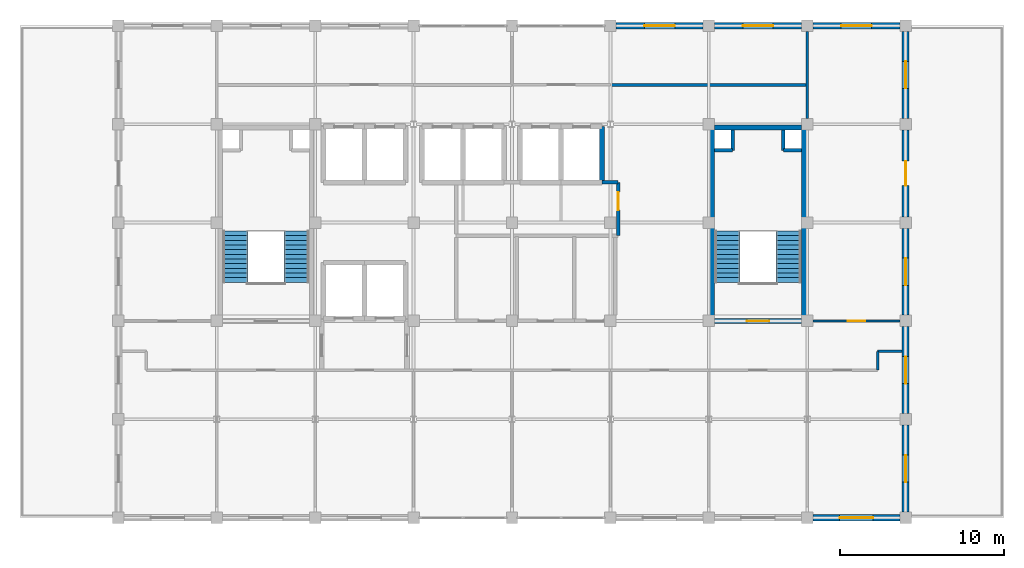
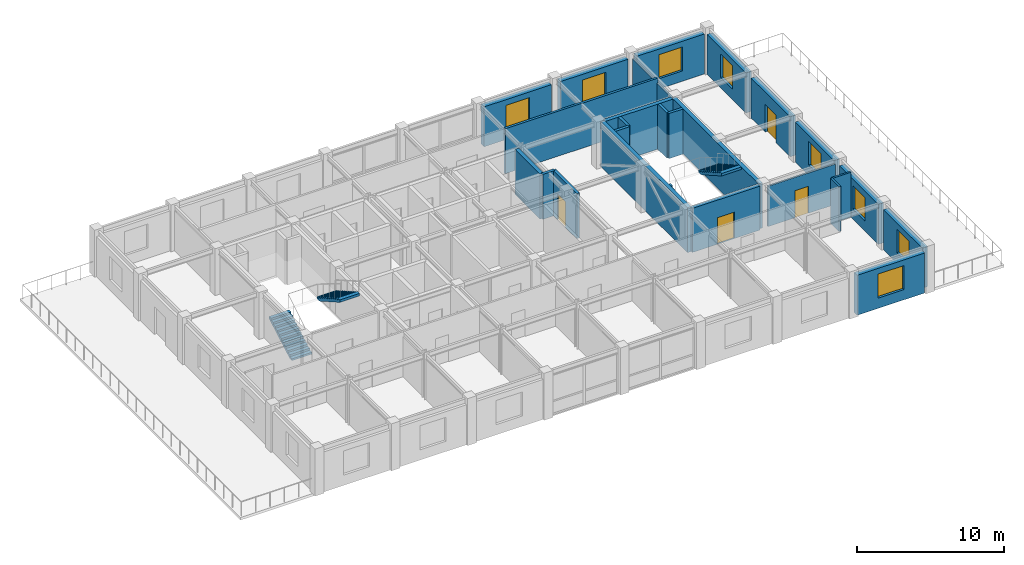
# One storey, part 14 of 15: 25 walls, 8 windows, 4 doors, 4 stair flights, 12 openings, 2 elements without a shape of their own.
"""IFC4 building model written with IfcOpenShell, lengths in metres."""

from ifc_helpers import new_model, si_unit, direction, frame, frame_2d, origin, place, context, subcontext, project, spatial, polyline, rectangle, outline, extrude, material, layer, layer_set, type_object, element, fill, aggregate, save


model = new_model("IFC4")

# Units and contexts
model_context = context("Model", 3, precision=1e-05, world=origin(), true_north=direction((0.0, 1.0)))
body_context = subcontext(model_context, "Body", "Model", "MODEL_VIEW")
ifc_project = project(units=[si_unit("LENGTHUNIT", "METRE"), si_unit("AREAUNIT", "SQUARE_METRE"), si_unit("VOLUMEUNIT", "CUBIC_METRE"), si_unit("PLANEANGLEUNIT", "RADIAN"), si_unit("MASSUNIT", "GRAM", prefix="KILO")], contexts=[model_context])

# Site, building, storey
site_placement = place(None, origin())
site = spatial("IfcSite", under=ifc_project, at=site_placement, CompositionType="ELEMENT")
building_placement = place(site_placement, origin())
building = spatial("IfcBuilding", under=site, at=building_placement, Name="Zlatovratsky Civic Hall", CompositionType="ELEMENT")
storey_placement = place(building_placement, frame((0.0, 0.0, 36.60009765625)))
storey = spatial("IfcBuildingStorey", under=building, at=storey_placement, Name="L09", CompositionType="ELEMENT", Elevation=36.60009765625)

# Wall
ifc_material_1 = material(Name="Acoustic ceramic blockwork", Category="masonry")
ifc_layer_1 = layer(ifc_material_1, 0.179931640625)
ifc_layer_set_1 = layer_set([ifc_layer_1], Name="Acoustic ceramic blockwork")
wall_type_1 = type_object("IfcWallType", Name="Wall_AcousticChamberPartition_180", PredefinedType="PARTITIONING", material=ifc_layer_set_1)
wall_1_placement = place(storey_placement, frame((90.0, 98.39990234375, 0.0), z_axis=(0.0, 0.0, 1.0), x_axis=(1.0, 0.0, 0.0)))
element("IfcWall", 1, at=wall_1_placement, inside=storey, type_object=wall_type_1, Name="WL-6477", PredefinedType="PARTITIONING", context=body_context, shape_type="SweptSolid", body=[
    extrude(rectangle(XDim=12.0, YDim=0.179931640625, at=frame_2d((6.0, 0.0))), origin(), (0.0, 0.0, 1.0), 3.739990234375),
])

# Wall, opening, door
ifc_material_2 = material(Name="Fire-rated gypsum board framing", Category="gypsum")
ifc_layer_2 = layer(ifc_material_2, 0.139892578125)
ifc_layer_set_2 = layer_set([ifc_layer_2], Name="Fire-rated gypsum board framing")
wall_type_2 = type_object("IfcWallType", Name="Wall_OfficePartition_140", PredefinedType="PARTITIONING", material=ifc_layer_set_2)
wall_2_placement = place(storey_placement, frame((102.35009765625, 84.0, 0.0), z_axis=(0.0, 0.0, 1.0), x_axis=(1.0, 0.0, 0.0)))
wall_2 = element("IfcWall", 2, at=wall_2_placement, inside=storey, type_object=wall_type_2, Name="WL-6455", PredefinedType="PARTITIONING", context=body_context, shape_type="SweptSolid", body=[
    extrude(rectangle(XDim=5.2998046875, YDim=0.139892578125, at=frame_2d((2.64990234375, 0.0))), origin(), (0.0, 0.0, 1.0), 3.347900390625),
])
opening_1_placement = place(wall_2_placement, frame((2.125, 0.0, 0.0)))
opening_1 = element("IfcOpeningElement", 3, at=opening_1_placement, cuts=wall_2, Name="Opening D-24", PredefinedType="OPENING", context=body_context, shape_type="SweptSolid", body=[
    extrude(rectangle(XDim=1.050048828125, YDim=2.25, at=frame_2d((0.52490234375, 1.125))), frame((0.0, 0.0849609375, 0.0), z_axis=(0.0, -1.0, 0.0), x_axis=(1.0, 0.0, 0.0)), (0.0, 0.0, 1.0), 0.169677734375),
])
ifc_material_3 = material(Name="Solid oak joinery in steel frame", Category="steel")
door_type_1 = type_object("IfcDoorType", Name="Door_DirectorateOffice_1050x2250", OperationType="NOTDEFINED", PredefinedType="DOOR", material=ifc_material_3)
door_1_placement = place(opening_1_placement, origin())
door_1 = element("IfcDoor", 4, at=door_1_placement, inside=storey, type_object=door_type_1, Name="DR-5429", OperationType="SINGLE_SWING_LEFT", OverallHeight=2.25, OverallWidth=1.050048828125, PredefinedType="DOOR", context=body_context, shape_type="SweptSolid", body=[
    extrude(rectangle(XDim=1.050048828125, YDim=2.25, at=frame_2d((0.52490234375, 1.125))), frame((0.0, 0.02490234375, 0.0), z_axis=(0.0, -1.0, 0.0), x_axis=(1.0, 0.0, 0.0)), (0.0, 0.0, 1.0), 0.050048828125),
])
fill(opening_1, door_1)

# Walls
wall_3_placement = place(storey_placement, frame((106.300048828125, 81.0, 0.0), z_axis=(0.0, 0.0, 1.0), x_axis=(0.0, 1.0, 0.0)))
element("IfcWall", 5, at=wall_3_placement, inside=storey, type_object=wall_type_2, Name="WL-6473", PredefinedType="PARTITIONING", context=body_context, shape_type="SweptSolid", body=[
    extrude(rectangle(XDim=1.14990234375, YDim=0.139892578125, at=frame_2d((0.574951171875, 0.0))), origin(), (0.0, 0.0, 1.0), 3.739990234375),
])
wall_4_placement = place(storey_placement, frame((106.300048828125, 82.14990234375, 0.0), z_axis=(0.0, 0.0, 1.0), x_axis=(1.0, 0.0, 0.0)))
element("IfcWall", 6, at=wall_4_placement, inside=storey, type_object=wall_type_2, Name="WL-6474", PredefinedType="PARTITIONING", context=body_context, shape_type="SweptSolid", body=[
    extrude(rectangle(XDim=1.489990234375, YDim=0.139892578125, at=frame_2d((0.7451171875, 0.0))), origin(), (0.0, 0.0, 1.0), 3.739990234375),
])
wall_5_placement = place(storey_placement, frame((102.0, 96.35009765625, 0.0), z_axis=(0.0, 0.0, 1.0), x_axis=(0.0, 1.0, 0.0)))
element("IfcWall", 7, at=wall_5_placement, inside=storey, type_object=wall_type_2, Name="WL-6479", PredefinedType="PARTITIONING", context=body_context, shape_type="SweptSolid", body=[
    extrude(rectangle(XDim=5.2998046875, YDim=0.139892578125, at=frame_2d((2.64990234375, 0.0))), origin(), (0.0, 0.0, 1.0), 3.347900390625),
])
ifc_layer_3 = layer(ifc_material_1, 0.219970703125)
ifc_layer_set_3 = layer_set([ifc_layer_3], Name="Acoustic ceramic blockwork")
wall_type_3 = type_object("IfcWallType", Name="Wall_SanitaryWetCore_220", PredefinedType="PARTITIONING", material=ifc_layer_set_3)
wall_6_placement = place(storey_placement, frame((97.449951171875, 94.39990234375, 0.0), z_axis=(0.0, 0.0, 1.0), x_axis=(0.0, 1.0, 0.0)))
element("IfcWall", 8, at=wall_6_placement, inside=storey, type_object=wall_type_3, Name="WL-5235", PredefinedType="PARTITIONING", context=body_context, shape_type="SweptSolid", body=[
    extrude(rectangle(XDim=1.25, YDim=0.219970703125, at=frame_2d((0.625, 0.0))), origin(), (0.0, 0.0, 1.0), 3.739990234375),
])
wall_7_placement = place(storey_placement, frame((96.35009765625, 94.39990234375, 0.0), z_axis=(0.0, 0.0, 1.0), x_axis=(1.0, 0.0, 0.0)))
element("IfcWall", 9, at=wall_7_placement, inside=storey, type_object=wall_type_3, Name="WL-5236", PredefinedType="PARTITIONING", context=body_context, shape_type="SweptSolid", body=[
    extrude(rectangle(XDim=1.099853515625, YDim=0.219970703125, at=frame_2d((0.5498046875, 0.0))), origin(), (0.0, 0.0, 1.0), 3.739990234375),
])
wall_8_placement = place(storey_placement, frame((100.550048828125, 94.39990234375, 0.0), z_axis=(0.0, 0.0, 1.0), x_axis=(0.0, 1.0, 0.0)))
element("IfcWall", 10, at=wall_8_placement, inside=storey, type_object=wall_type_3, Name="WL-5237", PredefinedType="PARTITIONING", context=body_context, shape_type="SweptSolid", body=[
    extrude(rectangle(XDim=1.25, YDim=0.219970703125, at=frame_2d((0.625, 0.0))), origin(), (0.0, 0.0, 1.0), 3.739990234375),
])
wall_9_placement = place(storey_placement, frame((100.550048828125, 94.39990234375, 0.0), z_axis=(0.0, 0.0, 1.0), x_axis=(1.0, 0.0, 0.0)))
element("IfcWall", 11, at=wall_9_placement, inside=storey, type_object=wall_type_3, Name="WL-5238", PredefinedType="PARTITIONING", context=body_context, shape_type="SweptSolid", body=[
    extrude(rectangle(XDim=1.099853515625, YDim=0.219970703125, at=frame_2d((0.5498046875, 0.0))), origin(), (0.0, 0.0, 1.0), 3.739990234375),
])

# Wall, opening, door
wall_10_placement = place(storey_placement, frame((90.469970703125, 89.199951171875, 0.0), z_axis=(0.0, 0.0, 1.0), x_axis=(0.0, 1.0, 0.0)))
wall_10 = element("IfcWall", 12, at=wall_10_placement, inside=storey, type_object=wall_type_3, Name="WL-6445", PredefinedType="PARTITIONING", context=body_context, shape_type="SweptSolid", body=[
    extrude(rectangle(XDim=3.25, YDim=0.219970703125, at=frame_2d((1.625, 0.0))), origin(), (0.0, 0.0, 1.0), 3.739990234375),
])
opening_2_placement = place(wall_10_placement, frame((1.550048828125, 0.0, 0.0)))
opening_2 = element("IfcOpeningElement", 13, at=opening_2_placement, cuts=wall_10, Name="Opening D-30", PredefinedType="OPENING", context=body_context, shape_type="SweptSolid", body=[
    extrude(rectangle(XDim=1.10009765625, YDim=2.14990234375, at=frame_2d((0.550048828125, 1.074951171875))), frame((0.0, 0.125, 0.0), z_axis=(0.0, -1.0, 0.0), x_axis=(1.0, 0.0, 0.0)), (0.0, 0.0, 1.0), 0.249755859375),
])
ifc_material_4 = material(Name="Insulated painted fire-rated steel leaf", Category="steel")
door_type_2 = type_object("IfcDoorType", Name="Door_ElectricalRoom_1100x2150", OperationType="NOTDEFINED", PredefinedType="DOOR", material=ifc_material_4)
door_2_placement = place(opening_2_placement, origin())
door_2 = element("IfcDoor", 14, at=door_2_placement, inside=storey, type_object=door_type_2, Name="DR-5419", OperationType="SINGLE_SWING_RIGHT", OverallHeight=2.14990234375, OverallWidth=1.10009765625, PredefinedType="DOOR", context=body_context, shape_type="SweptSolid", body=[
    extrude(rectangle(XDim=1.10009765625, YDim=2.14990234375, at=frame_2d((0.550048828125, 1.074951171875))), frame((0.0, 0.02490234375, 0.0), z_axis=(0.0, -1.0, 0.0), x_axis=(1.0, 0.0, 0.0)), (0.0, 0.0, 1.0), 0.050048828125),
])
fill(opening_2, door_2)

# Wall
wall_11_placement = place(storey_placement, frame((89.5, 92.449951171875, 0.0), z_axis=(0.0, 0.0, 1.0), x_axis=(1.0, 0.0, 0.0)))
element("IfcWall", 15, at=wall_11_placement, inside=storey, type_object=wall_type_3, Name="WL-6470", PredefinedType="PARTITIONING", context=body_context, shape_type="SweptSolid", body=[
    extrude(rectangle(XDim=0.969970703125, YDim=0.219970703125, at=frame_2d((0.48486328125, 0.0))), origin(), (0.0, 0.0, 1.0), 3.739990234375),
])

# Wall, opening, door
ifc_material_5 = material(Name="Concrete C35/45 (B40)", Category="concrete")
ifc_layer_4 = layer(ifc_material_5, 0.300048828125)
ifc_layer_set_4 = layer_set([ifc_layer_4], Name="Concrete C35/45 (B40)")
wall_type_4 = type_object("IfcWallType", Name="Wall_StairAndLiftShaft_300", PredefinedType="SHEAR", material=ifc_layer_set_4)
wall_12_placement = place(storey_placement, frame((96.35009765625, 84.0, 0.0), z_axis=(0.0, 0.0, 1.0), x_axis=(1.0, 0.0, 0.0)))
wall_12 = element("IfcWall", 16, at=wall_12_placement, inside=storey, type_object=wall_type_4, Name="WL-5231", PredefinedType="SHEAR", context=body_context, shape_type="SweptSolid", body=[
    extrude(rectangle(XDim=5.2998046875, YDim=0.300048828125, at=frame_2d((2.64990234375, 0.0))), origin(), (0.0, 0.0, 1.0), 3.659912109375),
])
opening_3_placement = place(wall_12_placement, frame((1.97509765625, 0.0, 0.0)))
opening_3 = element("IfcOpeningElement", 17, at=opening_3_placement, cuts=wall_12, Name="Opening D-17", PredefinedType="OPENING", context=body_context, shape_type="SweptSolid", body=[
    extrude(rectangle(XDim=1.35009765625, YDim=2.199951171875, at=frame_2d((0.675048828125, 1.10009765625))), frame((0.0, 0.1650390625, 0.0), z_axis=(0.0, -1.0, 0.0), x_axis=(1.0, 0.0, 0.0)), (0.0, 0.0, 1.0), 0.329833984375),
])
door_type_3 = type_object("IfcDoorType", Name="Door_StairwellFireTower_1350x2200", OperationType="NOTDEFINED", PredefinedType="DOOR", material=ifc_material_4)
door_3_placement = place(opening_3_placement, origin())
door_3 = element("IfcDoor", 18, at=door_3_placement, inside=storey, type_object=door_type_3, Name="DR-5029", OperationType="SINGLE_SWING_LEFT", OverallHeight=2.199951171875, OverallWidth=1.35009765625, PredefinedType="DOOR", context=body_context, shape_type="SweptSolid", body=[
    extrude(rectangle(XDim=1.35009765625, YDim=2.199951171875, at=frame_2d((0.675048828125, 1.10009765625))), frame((0.0, 0.02490234375, 0.0), z_axis=(0.0, -1.0, 0.0), x_axis=(1.0, 0.0, 0.0)), (0.0, 0.0, 1.0), 0.050048828125),
])
fill(opening_3, door_3)

# Walls
wall_13_placement = place(storey_placement, frame((96.35009765625, 95.800048828125, 0.0), z_axis=(0.0, 0.0, 1.0), x_axis=(1.0, 0.0, 0.0)))
element("IfcWall", 19, at=wall_13_placement, inside=storey, type_object=wall_type_4, Name="WL-5232", PredefinedType="SHEAR", context=body_context, shape_type="SweptSolid", body=[
    extrude(rectangle(XDim=5.2998046875, YDim=0.300048828125, at=frame_2d((2.64990234375, 0.0))), origin(), (0.0, 0.0, 1.0), 3.739990234375),
])
for number, where, z_axis, x_axis, name in (
    (20, (96.199951171875, 84.0, 0.0), (0.0, 0.0, 1.0), (0.0, 1.0, 0.0), "WL-5233"),
    (21, (101.800048828125, 84.0, 0.0), (0.0, 0.0, 1.0), (0.0, 1.0, 0.0), "WL-5234"),
):
    element("IfcWall", number, at=place(storey_placement, frame(where, z_axis=z_axis, x_axis=x_axis)), inside=storey, type_object=wall_type_4, Name=name, PredefinedType="SHEAR", context=body_context, shape_type="SweptSolid", body=[
        extrude(rectangle(XDim=11.800048828125, YDim=0.300048828125, at=frame_2d((5.89990234375, 0.0))), origin(), (0.0, 0.0, 1.0), 3.739990234375),
    ])
wall_14_placement = place(storey_placement, frame((89.5, 92.449951171875, 0.0), z_axis=(0.0, 0.0, 1.0), x_axis=(0.0, 1.0, 0.0)))
element("IfcWall", 22, at=wall_14_placement, inside=storey, type_object=wall_type_4, Name="WL-5964", PredefinedType="SHEAR", context=body_context, shape_type="SweptSolid", body=[
    extrude(rectangle(XDim=3.400146484375, YDim=0.300048828125, at=frame_2d((1.7001953125, 0.0))), origin(), (0.0, 0.0, 1.0), 3.739990234375),
])

# Wall, opening, window
ifc_layer_5 = layer(ifc_material_1, 0.280029296875, Name="Backing")
ifc_material_6 = material(Name="Podolsk limestone ashlar", Category="masonry")
ifc_layer_6 = layer(ifc_material_6, 0.139892578125, Name="Finish")
ifc_layer_set_5 = layer_set([ifc_layer_5, ifc_layer_6], Name="Acoustic ceramic blockwork")
wall_type_5 = type_object("IfcWallType", Name="Wall_TowerLimestoneAshlar_420", PredefinedType="SOLIDWALL", material=ifc_layer_set_5)
wall_15_placement = place(storey_placement, frame((102.35009765625, 72.0, 0.0), z_axis=(0.0, 0.0, 1.0), x_axis=(1.0, 0.0, 0.0)))
wall_15 = element("IfcWall", 23, at=wall_15_placement, inside=storey, type_object=wall_type_5, Name="WL-0506", PredefinedType="SOLIDWALL", context=body_context, shape_type="SweptSolid", body=[
    extrude(rectangle(XDim=5.2998046875, YDim=0.419921875, at=frame_2d((2.64990234375, 0.0))), origin(), (0.0, 0.0, 1.0), 3.31982421875),
])
opening_4_placement = place(wall_15_placement, frame((1.625, 0.0, 0.85009765625)))
opening_4 = element("IfcOpeningElement", 24, at=opening_4_placement, cuts=wall_15, Name="Opening WN-17", PredefinedType="OPENING", context=body_context, shape_type="SweptSolid", body=[
    extrude(rectangle(XDim=2.050048828125, YDim=2.0, at=frame_2d((1.02490234375, 1.0))), frame((0.0, 0.224853515625, 0.0), z_axis=(0.0, -1.0, 0.0), x_axis=(1.0, 0.0, 0.0)), (0.0, 0.0, 1.0), 0.44970703125),
])
ifc_material_7 = material(Name="Low-E laminated double glazing", Category="glass")
window_type_1 = type_object("IfcWindowType", Name="Window_TowerTier2South_2050x2000", PartitioningType="SINGLE_PANEL", PredefinedType="WINDOW", material=ifc_material_7)
window_1_placement = place(opening_4_placement, origin())
window_1 = element("IfcWindow", 25, at=window_1_placement, inside=storey, type_object=window_type_1, Name="WN-0382", OverallHeight=2.0, OverallWidth=2.050048828125, PartitioningType="SINGLE_PANEL", PredefinedType="WINDOW", context=body_context, shape_type="SweptSolid", body=[
    extrude(rectangle(XDim=2.050048828125, YDim=2.0, at=frame_2d((1.02490234375, 1.0))), frame((0.0, 0.030029296875, 0.0), z_axis=(0.0, -1.0, 0.0), x_axis=(1.0, 0.0, 0.0)), (0.0, 0.0, 1.0), 0.06005859375),
])
fill(opening_4, window_1)

wall_16_placement = place(storey_placement, frame((90.35009765625, 102.0, 0.0), z_axis=(0.0, 0.0, 1.0), x_axis=(1.0, 0.0, 0.0)))
wall_16 = element("IfcWall", 26, at=wall_16_placement, inside=storey, type_object=wall_type_5, Name="WL-0510", PredefinedType="SOLIDWALL", context=body_context, shape_type="SweptSolid", body=[
    extrude(rectangle(XDim=5.2998046875, YDim=0.419921875, at=frame_2d((2.64990234375, 0.0))), origin(), (0.0, 0.0, 1.0), 3.31982421875),
])
opening_5_placement = place(wall_16_placement, frame((1.72509765625, 0.0, 0.85009765625)))
opening_5 = element("IfcOpeningElement", 27, at=opening_5_placement, cuts=wall_16, Name="Opening WN-18", PredefinedType="OPENING", context=body_context, shape_type="SweptSolid", body=[
    extrude(rectangle(XDim=1.85009765625, YDim=2.0, at=frame_2d((0.925048828125, 1.0))), frame((0.0, 0.224853515625, 0.0), z_axis=(0.0, -1.0, 0.0), x_axis=(1.0, 0.0, 0.0)), (0.0, 0.0, 1.0), 0.44970703125),
])
window_type_2 = type_object("IfcWindowType", Name="Window_TowerTier2North_1850x2000", PartitioningType="SINGLE_PANEL", PredefinedType="WINDOW", material=ifc_material_7)
window_2_placement = place(opening_5_placement, origin())
window_2 = element("IfcWindow", 28, at=window_2_placement, inside=storey, type_object=window_type_2, Name="WN-0386", OverallHeight=2.0, OverallWidth=1.85009765625, PartitioningType="SINGLE_PANEL", PredefinedType="WINDOW", context=body_context, shape_type="SweptSolid", body=[
    extrude(rectangle(XDim=1.85009765625, YDim=2.0, at=frame_2d((0.925048828125, 1.0))), frame((0.0, 0.030029296875, 0.0), z_axis=(0.0, -1.0, 0.0), x_axis=(1.0, 0.0, 0.0)), (0.0, 0.0, 1.0), 0.06005859375),
])
fill(opening_5, window_2)

wall_17_placement = place(storey_placement, frame((96.35009765625, 102.0, 0.0), z_axis=(0.0, 0.0, 1.0), x_axis=(1.0, 0.0, 0.0)))
wall_17 = element("IfcWall", 29, at=wall_17_placement, inside=storey, type_object=wall_type_5, Name="WL-0511", PredefinedType="SOLIDWALL", context=body_context, shape_type="SweptSolid", body=[
    extrude(rectangle(XDim=5.2998046875, YDim=0.419921875, at=frame_2d((2.64990234375, 0.0))), origin(), (0.0, 0.0, 1.0), 3.31982421875),
])
opening_6_placement = place(wall_17_placement, frame((1.72509765625, 0.0, 0.85009765625)))
opening_6 = element("IfcOpeningElement", 30, at=opening_6_placement, cuts=wall_17, Name="Opening WN-18", PredefinedType="OPENING", context=body_context, shape_type="SweptSolid", body=[
    extrude(rectangle(XDim=1.85009765625, YDim=2.0, at=frame_2d((0.925048828125, 1.0))), frame((0.0, 0.224853515625, 0.0), z_axis=(0.0, -1.0, 0.0), x_axis=(1.0, 0.0, 0.0)), (0.0, 0.0, 1.0), 0.44970703125),
])
window_3_placement = place(opening_6_placement, origin())
window_3 = element("IfcWindow", 31, at=window_3_placement, inside=storey, type_object=window_type_2, Name="WN-0387", OverallHeight=2.0, OverallWidth=1.85009765625, PartitioningType="SINGLE_PANEL", PredefinedType="WINDOW", context=body_context, shape_type="SweptSolid", body=[
    extrude(rectangle(XDim=1.85009765625, YDim=2.0, at=frame_2d((0.925048828125, 1.0))), frame((0.0, 0.030029296875, 0.0), z_axis=(0.0, -1.0, 0.0), x_axis=(1.0, 0.0, 0.0)), (0.0, 0.0, 1.0), 0.06005859375),
])
fill(opening_6, window_3)

wall_18_placement = place(storey_placement, frame((102.35009765625, 102.0, 0.0), z_axis=(0.0, 0.0, 1.0), x_axis=(1.0, 0.0, 0.0)))
wall_18 = element("IfcWall", 32, at=wall_18_placement, inside=storey, type_object=wall_type_5, Name="WL-0512", PredefinedType="SOLIDWALL", context=body_context, shape_type="SweptSolid", body=[
    extrude(rectangle(XDim=5.2998046875, YDim=0.419921875, at=frame_2d((2.64990234375, 0.0))), origin(), (0.0, 0.0, 1.0), 3.31982421875),
])
opening_7_placement = place(wall_18_placement, frame((1.72509765625, 0.0, 0.85009765625)))
opening_7 = element("IfcOpeningElement", 33, at=opening_7_placement, cuts=wall_18, Name="Opening WN-18", PredefinedType="OPENING", context=body_context, shape_type="SweptSolid", body=[
    extrude(rectangle(XDim=1.85009765625, YDim=2.0, at=frame_2d((0.925048828125, 1.0))), frame((0.0, 0.224853515625, 0.0), z_axis=(0.0, -1.0, 0.0), x_axis=(1.0, 0.0, 0.0)), (0.0, 0.0, 1.0), 0.44970703125),
])
window_4_placement = place(opening_7_placement, origin())
window_4 = element("IfcWindow", 34, at=window_4_placement, inside=storey, type_object=window_type_2, Name="WN-0388", OverallHeight=2.0, OverallWidth=1.85009765625, PartitioningType="SINGLE_PANEL", PredefinedType="WINDOW", context=body_context, shape_type="SweptSolid", body=[
    extrude(rectangle(XDim=1.85009765625, YDim=2.0, at=frame_2d((0.925048828125, 1.0))), frame((0.0, 0.030029296875, 0.0), z_axis=(0.0, -1.0, 0.0), x_axis=(1.0, 0.0, 0.0)), (0.0, 0.0, 1.0), 0.06005859375),
])
fill(opening_7, window_4)

wall_19_placement = place(storey_placement, frame((108.0, 72.35009765625, 0.0), z_axis=(0.0, 0.0, 1.0), x_axis=(0.0, 1.0, 0.0)))
wall_19 = element("IfcWall", 35, at=wall_19_placement, inside=storey, type_object=wall_type_5, Name="WL-0518", PredefinedType="SOLIDWALL", context=body_context, shape_type="SweptSolid", body=[
    extrude(rectangle(XDim=5.2998046875, YDim=0.419921875, at=frame_2d((2.64990234375, 0.0))), origin(), (0.0, 0.0, 1.0), 3.31982421875),
])
opening_8_placement = place(wall_19_placement, frame((1.824951171875, 0.0, 0.85009765625)))
opening_8 = element("IfcOpeningElement", 36, at=opening_8_placement, cuts=wall_19, Name="Opening WN-19", PredefinedType="OPENING", context=body_context, shape_type="SweptSolid", body=[
    extrude(rectangle(XDim=1.64990234375, YDim=1.949951171875, at=frame_2d((0.824951171875, 0.97509765625))), frame((0.0, 0.224853515625, 0.0), z_axis=(0.0, -1.0, 0.0), x_axis=(1.0, 0.0, 0.0)), (0.0, 0.0, 1.0), 0.44970703125),
])
window_type_3 = type_object("IfcWindowType", Name="Window_TowerTier2Flank_1650x1950", PartitioningType="SINGLE_PANEL", PredefinedType="WINDOW", material=ifc_material_7)
window_5_placement = place(opening_8_placement, origin())
window_5 = element("IfcWindow", 37, at=window_5_placement, inside=storey, type_object=window_type_3, Name="WN-0393", OverallHeight=1.949951171875, OverallWidth=1.64990234375, PartitioningType="SINGLE_PANEL", PredefinedType="WINDOW", context=body_context, shape_type="SweptSolid", body=[
    extrude(rectangle(XDim=1.64990234375, YDim=1.949951171875, at=frame_2d((0.824951171875, 0.97509765625))), frame((0.0, 0.030029296875, 0.0), z_axis=(0.0, -1.0, 0.0), x_axis=(1.0, 0.0, 0.0)), (0.0, 0.0, 1.0), 0.06005859375),
])
fill(opening_8, window_5)

wall_20_placement = place(storey_placement, frame((108.0, 78.35009765625, 0.0), z_axis=(0.0, 0.0, 1.0), x_axis=(0.0, 1.0, 0.0)))
wall_20 = element("IfcWall", 38, at=wall_20_placement, inside=storey, type_object=wall_type_5, Name="WL-0519", PredefinedType="SOLIDWALL", context=body_context, shape_type="SweptSolid", body=[
    extrude(rectangle(XDim=5.2998046875, YDim=0.419921875, at=frame_2d((2.64990234375, 0.0))), origin(), (0.0, 0.0, 1.0), 3.31982421875),
])
opening_9_placement = place(wall_20_placement, frame((1.824951171875, 0.0, 0.85009765625)))
opening_9 = element("IfcOpeningElement", 39, at=opening_9_placement, cuts=wall_20, Name="Opening WN-19", PredefinedType="OPENING", context=body_context, shape_type="SweptSolid", body=[
    extrude(rectangle(XDim=1.64990234375, YDim=1.949951171875, at=frame_2d((0.824951171875, 0.97509765625))), frame((0.0, 0.224853515625, 0.0), z_axis=(0.0, -1.0, 0.0), x_axis=(1.0, 0.0, 0.0)), (0.0, 0.0, 1.0), 0.44970703125),
])
window_6_placement = place(opening_9_placement, origin())
window_6 = element("IfcWindow", 40, at=window_6_placement, inside=storey, type_object=window_type_3, Name="WN-0394", OverallHeight=1.949951171875, OverallWidth=1.64990234375, PartitioningType="SINGLE_PANEL", PredefinedType="WINDOW", context=body_context, shape_type="SweptSolid", body=[
    extrude(rectangle(XDim=1.64990234375, YDim=1.949951171875, at=frame_2d((0.824951171875, 0.97509765625))), frame((0.0, 0.030029296875, 0.0), z_axis=(0.0, -1.0, 0.0), x_axis=(1.0, 0.0, 0.0)), (0.0, 0.0, 1.0), 0.06005859375),
])
fill(opening_9, window_6)

wall_21_placement = place(storey_placement, frame((108.0, 84.35009765625, 0.0), z_axis=(0.0, 0.0, 1.0), x_axis=(0.0, 1.0, 0.0)))
wall_21 = element("IfcWall", 41, at=wall_21_placement, inside=storey, type_object=wall_type_5, Name="WL-0520", PredefinedType="SOLIDWALL", context=body_context, shape_type="SweptSolid", body=[
    extrude(rectangle(XDim=5.2998046875, YDim=0.419921875, at=frame_2d((2.64990234375, 0.0))), origin(), (0.0, 0.0, 1.0), 3.31982421875),
])
opening_10_placement = place(wall_21_placement, frame((1.824951171875, 0.0, 0.85009765625)))
opening_10 = element("IfcOpeningElement", 42, at=opening_10_placement, cuts=wall_21, Name="Opening WN-19", PredefinedType="OPENING", context=body_context, shape_type="SweptSolid", body=[
    extrude(rectangle(XDim=1.64990234375, YDim=1.949951171875, at=frame_2d((0.824951171875, 0.97509765625))), frame((0.0, 0.224853515625, 0.0), z_axis=(0.0, -1.0, 0.0), x_axis=(1.0, 0.0, 0.0)), (0.0, 0.0, 1.0), 0.44970703125),
])
window_7_placement = place(opening_10_placement, origin())
window_7 = element("IfcWindow", 43, at=window_7_placement, inside=storey, type_object=window_type_3, Name="WN-0395", OverallHeight=1.949951171875, OverallWidth=1.64990234375, PartitioningType="SINGLE_PANEL", PredefinedType="WINDOW", context=body_context, shape_type="SweptSolid", body=[
    extrude(rectangle(XDim=1.64990234375, YDim=1.949951171875, at=frame_2d((0.824951171875, 0.97509765625))), frame((0.0, 0.030029296875, 0.0), z_axis=(0.0, -1.0, 0.0), x_axis=(1.0, 0.0, 0.0)), (0.0, 0.0, 1.0), 0.06005859375),
])
fill(opening_10, window_7)

# Wall, opening, door
wall_22_placement = place(storey_placement, frame((108.0, 90.35009765625, 0.0), z_axis=(0.0, 0.0, 1.0), x_axis=(0.0, 1.0, 0.0)))
wall_22 = element("IfcWall", 44, at=wall_22_placement, inside=storey, type_object=wall_type_5, Name="WL-0521", PredefinedType="SOLIDWALL", context=body_context, shape_type="SweptSolid", body=[
    extrude(rectangle(XDim=5.2998046875, YDim=0.419921875, at=frame_2d((2.64990234375, 0.0))), origin(), (0.0, 0.0, 1.0), 3.31982421875),
])
opening_11_placement = place(wall_22_placement, frame((1.89990234375, 0.0, 0.0)))
opening_11 = element("IfcOpeningElement", 45, at=opening_11_placement, cuts=wall_22, Name="Opening D-08", PredefinedType="OPENING", context=body_context, shape_type="SweptSolid", body=[
    extrude(rectangle(XDim=1.5, YDim=2.300048828125, at=frame_2d((0.75, 1.14990234375))), frame((0.0, 0.224853515625, 0.0), z_axis=(0.0, -1.0, 0.0), x_axis=(1.0, 0.0, 0.0)), (0.0, 0.0, 1.0), 0.44970703125),
])
ifc_material_8 = material(Name="Monumental cast bronze glazed portal", Category="aluminium")
door_type_4 = type_object("IfcDoorType", Name="Door_SetbackTerrace_1500x2300", OperationType="DOUBLE_DOOR_SINGLE_SWING", PredefinedType="DOOR", material=ifc_material_8)
door_4_placement = place(opening_11_placement, origin())
door_4 = element("IfcDoor", 46, at=door_4_placement, inside=storey, type_object=door_type_4, Name="DR-0025", OperationType="DOUBLE_DOOR_SINGLE_SWING", OverallHeight=2.300048828125, OverallWidth=1.5, PredefinedType="DOOR", context=body_context, shape_type="SweptSolid", body=[
    extrude(rectangle(XDim=1.5, YDim=2.300048828125, at=frame_2d((0.75, 1.14990234375))), frame((0.0, 0.02490234375, 0.0), z_axis=(0.0, -1.0, 0.0), x_axis=(1.0, 0.0, 0.0)), (0.0, 0.0, 1.0), 0.050048828125),
])
fill(opening_11, door_4)

# Wall, opening, window
wall_23_placement = place(storey_placement, frame((108.0, 96.35009765625, 0.0), z_axis=(0.0, 0.0, 1.0), x_axis=(0.0, 1.0, 0.0)))
wall_23 = element("IfcWall", 47, at=wall_23_placement, inside=storey, type_object=wall_type_5, Name="WL-0522", PredefinedType="SOLIDWALL", context=body_context, shape_type="SweptSolid", body=[
    extrude(rectangle(XDim=5.2998046875, YDim=0.419921875, at=frame_2d((2.64990234375, 0.0))), origin(), (0.0, 0.0, 1.0), 3.31982421875),
])
opening_12_placement = place(wall_23_placement, frame((1.824951171875, 0.0, 0.85009765625)))
opening_12 = element("IfcOpeningElement", 48, at=opening_12_placement, cuts=wall_23, Name="Opening WN-19", PredefinedType="OPENING", context=body_context, shape_type="SweptSolid", body=[
    extrude(rectangle(XDim=1.64990234375, YDim=1.949951171875, at=frame_2d((0.824951171875, 0.97509765625))), frame((0.0, 0.224853515625, 0.0), z_axis=(0.0, -1.0, 0.0), x_axis=(1.0, 0.0, 0.0)), (0.0, 0.0, 1.0), 0.44970703125),
])
window_8_placement = place(opening_12_placement, origin())
window_8 = element("IfcWindow", 49, at=window_8_placement, inside=storey, type_object=window_type_3, Name="WN-0396", OverallHeight=1.949951171875, OverallWidth=1.64990234375, PartitioningType="SINGLE_PANEL", PredefinedType="WINDOW", context=body_context, shape_type="SweptSolid", body=[
    extrude(rectangle(XDim=1.64990234375, YDim=1.949951171875, at=frame_2d((0.824951171875, 0.97509765625))), frame((0.0, 0.030029296875, 0.0), z_axis=(0.0, -1.0, 0.0), x_axis=(1.0, 0.0, 0.0)), (0.0, 0.0, 1.0), 0.06005859375),
])
fill(opening_12, window_8)

# Stair, stair flights
ifc_material_9 = material(Name="Concrete C30/37 (B35)", Category="concrete")
stair_type = type_object("IfcStairType", Name="Stair_HALF_24R_1550W_04", PredefinedType="HALF_TURN_STAIR", material=ifc_material_9)
stair_1_placement = place(storey_placement, origin())
stair_1 = element("IfcStair", 50, at=stair_1_placement, inside=storey, type_object=stair_type, Name="ST-010", PredefinedType="HALF_TURN_STAIR")
stair_flight_type = type_object("IfcStairFlightType", Name="StairFlight_12R_1550W_04", PredefinedType="STRAIGHT", material=ifc_material_9)
stair_flight_1_placement = place(storey_placement, frame((67.125, 86.35009765625, 0.0), z_axis=(0.0, 0.0, 1.0), x_axis=(0.0, 1.0, 0.0)))
stair_flight_1 = element("IfcStairFlight", 51, at=stair_flight_1_placement, type_object=stair_flight_type, Name="ST-010-F1", NumberOfRisers=12, NumberOfTreads=11, PredefinedType="STRAIGHT", RiserHeight=0.1625, TreadLength=0.285, context=body_context, shape_type="SweptSolid", body=[
    extrude(outline(polyline([(0.0, 0.0), (0.0, 0.16259765625), (0.284912109375, 0.16259765625), (0.284912109375, 0.324951171875), (0.570068359375, 0.324951171875), (0.570068359375, 0.487548828125), (0.85498046875, 0.487548828125), (0.85498046875, 0.64990234375), (1.139892578125, 0.64990234375), (1.139892578125, 0.8125), (1.425048828125, 0.8125), (1.425048828125, 0.97509765625), (1.7099609375, 0.97509765625), (1.7099609375, 1.137451171875), (1.9951171875, 1.137451171875), (1.9951171875, 1.300048828125), (2.280029296875, 1.300048828125), (2.280029296875, 1.46240234375), (2.56494140625, 1.46240234375), (2.56494140625, 1.625), (2.85009765625, 1.625), (2.85009765625, 1.78759765625), (3.135009765625, 1.78759765625), (3.135009765625, 1.949951171875), (3.135009765625, 1.580322265625), (0.36328125, 0.0), (0.0, 0.0)])), frame((0.0, 0.77490234375, 0.0), z_axis=(0.0, -1.0, 0.0), x_axis=(1.0, 0.0, 0.0)), (0.0, 0.0, 1.0), 1.550048828125),
])
stair_flight_2_placement = place(storey_placement, frame((70.875, 89.485107421875, 1.949951171875), z_axis=(0.0, 0.0, 1.0), x_axis=(0.0, -1.0, 0.0)))
stair_flight_2 = element("IfcStairFlight", 52, at=stair_flight_2_placement, type_object=stair_flight_type, Name="ST-010-F2", NumberOfRisers=12, NumberOfTreads=11, PredefinedType="STRAIGHT", RiserHeight=0.1625, TreadLength=0.285, context=body_context, shape_type="SweptSolid", body=[
    extrude(outline(polyline([(0.0, 0.0), (0.0, 0.16259765625), (0.284912109375, 0.16259765625), (0.284912109375, 0.324951171875), (0.570068359375, 0.324951171875), (0.570068359375, 0.487548828125), (0.85498046875, 0.487548828125), (0.85498046875, 0.64990234375), (1.139892578125, 0.64990234375), (1.139892578125, 0.8125), (1.425048828125, 0.8125), (1.425048828125, 0.97509765625), (1.7099609375, 0.97509765625), (1.7099609375, 1.137451171875), (1.9951171875, 1.137451171875), (1.9951171875, 1.300048828125), (2.280029296875, 1.300048828125), (2.280029296875, 1.46240234375), (2.56494140625, 1.46240234375), (2.56494140625, 1.625), (2.85009765625, 1.625), (2.85009765625, 1.78759765625), (3.135009765625, 1.78759765625), (3.135009765625, 1.949951171875), (3.135009765625, 1.580322265625), (0.36328125, 0.0), (0.0, 0.0)])), frame((0.0, 0.77490234375, 0.0), z_axis=(0.0, -1.0, 0.0), x_axis=(1.0, 0.0, 0.0)), (0.0, 0.0, 1.0), 1.550048828125),
])
aggregate(stair_1, [stair_flight_1, stair_flight_2])

stair_2_placement = place(storey_placement, origin())
stair_2 = element("IfcStair", 53, at=stair_2_placement, inside=storey, type_object=stair_type, Name="ST-029", PredefinedType="HALF_TURN_STAIR")
stair_flight_3_placement = place(storey_placement, frame((97.125, 86.35009765625, 0.0), z_axis=(0.0, 0.0, 1.0), x_axis=(0.0, 1.0, 0.0)))
stair_flight_3 = element("IfcStairFlight", 54, at=stair_flight_3_placement, type_object=stair_flight_type, Name="ST-029-F1", NumberOfRisers=12, NumberOfTreads=11, PredefinedType="STRAIGHT", RiserHeight=0.1625, TreadLength=0.285, context=body_context, shape_type="SweptSolid", body=[
    extrude(outline(polyline([(0.0, 0.0), (0.0, 0.16259765625), (0.284912109375, 0.16259765625), (0.284912109375, 0.324951171875), (0.570068359375, 0.324951171875), (0.570068359375, 0.487548828125), (0.85498046875, 0.487548828125), (0.85498046875, 0.64990234375), (1.139892578125, 0.64990234375), (1.139892578125, 0.8125), (1.425048828125, 0.8125), (1.425048828125, 0.97509765625), (1.7099609375, 0.97509765625), (1.7099609375, 1.137451171875), (1.9951171875, 1.137451171875), (1.9951171875, 1.300048828125), (2.280029296875, 1.300048828125), (2.280029296875, 1.46240234375), (2.56494140625, 1.46240234375), (2.56494140625, 1.625), (2.85009765625, 1.625), (2.85009765625, 1.78759765625), (3.135009765625, 1.78759765625), (3.135009765625, 1.949951171875), (3.135009765625, 1.580322265625), (0.36328125, 0.0), (0.0, 0.0)])), frame((0.0, 0.77490234375, 0.0), z_axis=(0.0, -1.0, 0.0), x_axis=(1.0, 0.0, 0.0)), (0.0, 0.0, 1.0), 1.550048828125),
])
stair_flight_4_placement = place(storey_placement, frame((100.875, 89.485107421875, 1.949951171875), z_axis=(0.0, 0.0, 1.0), x_axis=(0.0, -1.0, 0.0)))
stair_flight_4 = element("IfcStairFlight", 55, at=stair_flight_4_placement, type_object=stair_flight_type, Name="ST-029-F2", NumberOfRisers=12, NumberOfTreads=11, PredefinedType="STRAIGHT", RiserHeight=0.1625, TreadLength=0.285, context=body_context, shape_type="SweptSolid", body=[
    extrude(outline(polyline([(0.0, 0.0), (0.0, 0.16259765625), (0.284912109375, 0.16259765625), (0.284912109375, 0.324951171875), (0.570068359375, 0.324951171875), (0.570068359375, 0.487548828125), (0.85498046875, 0.487548828125), (0.85498046875, 0.64990234375), (1.139892578125, 0.64990234375), (1.139892578125, 0.8125), (1.425048828125, 0.8125), (1.425048828125, 0.97509765625), (1.7099609375, 0.97509765625), (1.7099609375, 1.137451171875), (1.9951171875, 1.137451171875), (1.9951171875, 1.300048828125), (2.280029296875, 1.300048828125), (2.280029296875, 1.46240234375), (2.56494140625, 1.46240234375), (2.56494140625, 1.625), (2.85009765625, 1.625), (2.85009765625, 1.78759765625), (3.135009765625, 1.78759765625), (3.135009765625, 1.949951171875), (3.135009765625, 1.580322265625), (0.36328125, 0.0), (0.0, 0.0)])), frame((0.0, 0.77490234375, 0.0), z_axis=(0.0, -1.0, 0.0), x_axis=(1.0, 0.0, 0.0)), (0.0, 0.0, 1.0), 1.550048828125),
])
aggregate(stair_2, [stair_flight_3, stair_flight_4])

save(model, "model.ifc")
